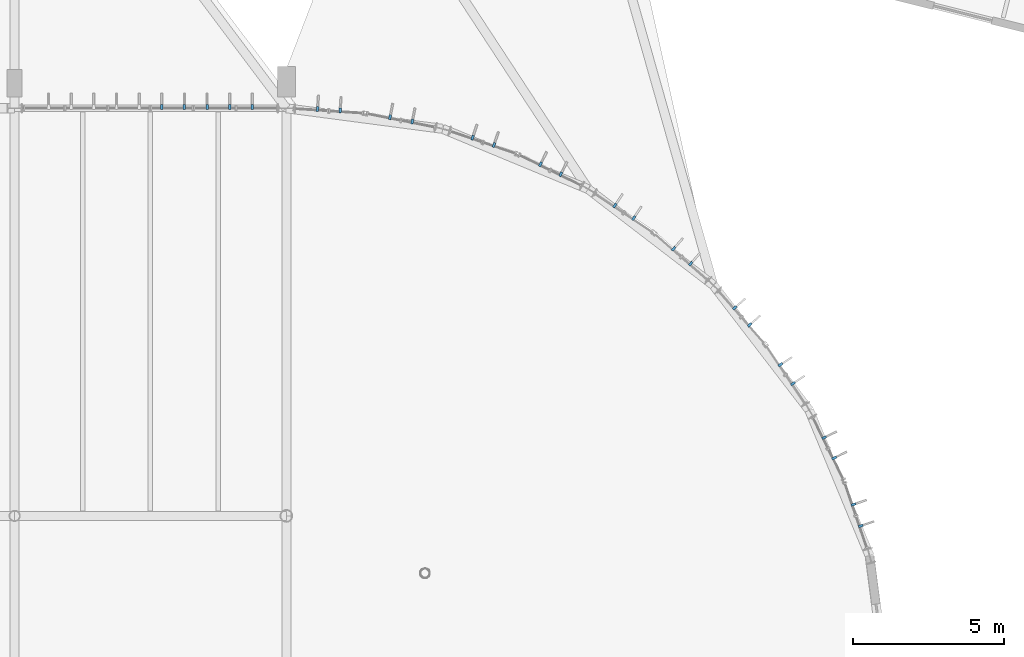
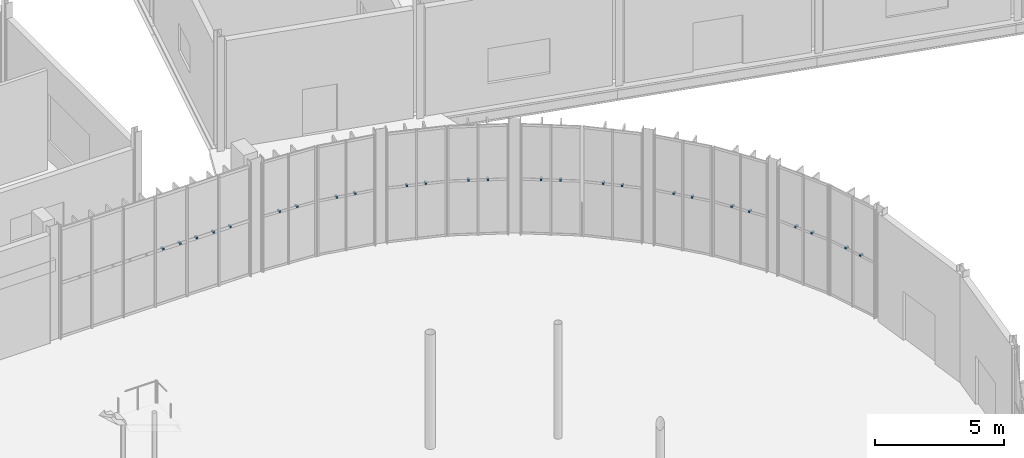
# One storey, part 139 of 158: 25 discrete accessories.
"""IFC4 building model written with IfcOpenShell, lengths in metres."""

from ifc_helpers import new_model, si_unit, derived_unit, direction, frame, origin, origin_2d, place, context, subcontext, project, spatial, rectangle, extrude, material, type_object, element, save


model = new_model("IFC4")

# Units and contexts
model_context = context("Model", 3, precision=1e-05, world=origin(), true_north=direction((0.0, 1.0)))
body_context = subcontext(model_context, "Body", "Model", "MODEL_VIEW")
ifc_project = project(units=[si_unit("LENGTHUNIT", "METRE"), si_unit("AREAUNIT", "SQUARE_METRE"), si_unit("VOLUMEUNIT", "CUBIC_METRE"), si_unit("PLANEANGLEUNIT", "RADIAN"), si_unit("MASSUNIT", "GRAM", prefix="KILO"), si_unit("THERMODYNAMICTEMPERATUREUNIT", "KELVIN"), si_unit("TIMEUNIT", "SECOND"), derived_unit("THERMALTRANSMITTANCEUNIT", [(si_unit("MASSUNIT", "GRAM", prefix="KILO"), 1), (si_unit("THERMODYNAMICTEMPERATUREUNIT", "KELVIN"), -1), (si_unit("TIMEUNIT", "SECOND"), -3)])], contexts=[model_context])

# Site, building, storey
site_placement = place(None, origin())
site = spatial("IfcSite", under=ifc_project, at=site_placement, CompositionType="ELEMENT")
building_placement = place(site_placement, origin())
building = spatial("IfcBuilding", under=site, at=building_placement, Name="Cambertide Market Hall", CompositionType="ELEMENT")
storey_placement = place(building_placement, origin())
storey = spatial("IfcBuildingStorey", under=building, at=storey_placement, Name="L01", CompositionType="ELEMENT", Elevation=0.0)

# Discrete accessories
ifc_material = material(Name="Stainless Steel Grade 316", Category="metal")
discrete_accessory_type = type_object("IfcDiscreteAccessoryType", Name="Stainless Fin Outrigger Tie Bracket", PredefinedType="BRACKET", material=ifc_material)
for number, where, z_axis, x_axis, name in (
    (1, (100.875, 92.0400390625, 2.5400390625), (0.0, 0.0, 1.0), (1.0, 0.0, 0.0), "CW-V1N-L01-7 Fin Tie Bracket 6"),
    (2, (101.625, 92.0400390625, 2.5400390625), (0.0, 0.0, 1.0), (1.0, 0.0, 0.0), "CW-V1N-L01-7 Fin Tie Bracket 7"),
    (3, (102.375, 92.0400390625, 2.5400390625), (0.0, 0.0, 1.0), (1.0, 0.0, 0.0), "CW-V1N-L01-7 Fin Tie Bracket 8"),
    (4, (103.125, 92.0400390625, 2.5400390625), (0.0, 0.0, 1.0), (1.0, 0.0, 0.0), "CW-V1N-L01-7 Fin Tie Bracket 9"),
    (5, (103.875, 92.0400390625, 2.5400390625), (0.0, 0.0, 1.0), (1.0, 0.0, 0.0), "CW-V1N-L01-7 Fin Tie Bracket 10"),
    (6, (123.783203125, 78.877685546875, 2.5400390625), (0.0, 0.0, 1.0), (0.32143947831, -0.94693012508, 0.0), "CW-V1AE-L01-15 Fin Tie Bracket 1"),
    (7, (124.0244140625, 78.16748046875, 2.5400390625), (0.0, 0.0, 1.0), (0.32143947831, -0.94693012508, 0.0), "CW-V1AE-L01-15 Fin Tie Bracket 2"),
    (8, (122.813232421875, 81.091064453125, 2.5400390625), (0.0, 0.0, 1.0), (0.442288874522, -0.896872650645, 0.0), "CW-V1AE-L01-16 Fin Tie Bracket 1"),
    (9, (123.14501953125, 80.41845703125, 2.5400390625), (0.0, 0.0, 1.0), (0.442288874522, -0.896872650645, 0.0), "CW-V1AE-L01-16 Fin Tie Bracket 2"),
    (10, (121.363037109375, 83.5048828125, 2.5400390625), (0.0, 0.0, 1.0), (0.555570087582, -0.831469709481, 0.0), "CW-V1AE-L01-17 Fin Tie Bracket 1"),
    (11, (121.77978515625, 82.881103515625, 2.5400390625), (0.0, 0.0, 1.0), (0.555570087582, -0.831469709481, 0.0), "CW-V1AE-L01-17 Fin Tie Bracket 2"),
    (12, (119.853271484375, 85.391845703125, 2.5400390625), (0.0, 0.0, 1.0), (0.659345784014, -0.751839834741, 0.0), "CW-V1AE-L01-18 Fin Tie Bracket 1"),
    (13, (120.347900390625, 84.827880859375, 2.5400390625), (0.0, 0.0, 1.0), (0.659345784014, -0.751839834741, 0.0), "CW-V1AE-L01-18 Fin Tie Bracket 2"),
    (14, (117.827880859375, 87.347900390625, 2.5400390625), (0.0, 0.0, 1.0), (0.751839834741, -0.659345784014, 0.0), "CW-V1AE-L01-19 Fin Tie Bracket 1"),
    (15, (118.391845703125, 86.853271484375, 2.5400390625), (0.0, 0.0, 1.0), (0.751839834741, -0.659345784014, 0.0), "CW-V1AE-L01-19 Fin Tie Bracket 2"),
    (16, (115.881103515625, 88.77978515625, 2.5400390625), (0.0, 0.0, 1.0), (0.831469709481, -0.555570087582, 0.0), "CW-V1AE-L01-20 Fin Tie Bracket 1"),
    (17, (116.5048828125, 88.363037109375, 2.5400390625), (0.0, 0.0, 1.0), (0.831469709481, -0.555570087582, 0.0), "CW-V1AE-L01-20 Fin Tie Bracket 2"),
    (18, (113.41845703125, 90.14501953125, 2.5400390625), (0.0, 0.0, 1.0), (0.896872650645, -0.442288874522, 0.0), "CW-V1AE-L01-21 Fin Tie Bracket 1"),
    (19, (114.091064453125, 89.813232421875, 2.5400390625), (0.0, 0.0, 1.0), (0.896872650645, -0.442288874522, 0.0), "CW-V1AE-L01-21 Fin Tie Bracket 2"),
    (20, (111.16748046875, 91.0244140625, 2.5400390625), (0.0, 0.0, 1.0), (0.94693012508, -0.32143947831, 0.0), "CW-V1AE-L01-22 Fin Tie Bracket 1"),
    (21, (111.877685546875, 90.783203125, 2.5400390625), (0.0, 0.0, 1.0), (0.94693012508, -0.32143947831, 0.0), "CW-V1AE-L01-22 Fin Tie Bracket 2"),
    (22, (108.435302734375, 91.70556640625, 2.5400390625), (0.0, 0.0, 1.0), (0.980785330885, -0.195090068226, 0.0), "CW-V1AE-L01-23 Fin Tie Bracket 1"),
    (23, (109.1708984375, 91.559326171875, 2.5400390625), (0.0, 0.0, 1.0), (0.980785330885, -0.195090068226, 0.0), "CW-V1AE-L01-23 Fin Tie Bracket 2"),
    (24, (106.033447265625, 91.972412109375, 2.5400390625), (0.0, 0.0, 1.0), (0.997858917819, -0.065403211921, 0.0), "CW-V1AE-L01-24 Fin Tie Bracket 1"),
    (25, (106.781982421875, 91.92333984375, 2.5400390625), (0.0, 0.0, 1.0), (0.997858917819, -0.065403211921, 0.0), "CW-V1AE-L01-24 Fin Tie Bracket 2"),
):
    element("IfcDiscreteAccessory", number, at=place(storey_placement, frame(where, z_axis=z_axis, x_axis=x_axis)), inside=storey, type_object=discrete_accessory_type, Name=name, PredefinedType="BRACKET", context=body_context, shape_type="SweptSolid", body=[
        extrude(rectangle(XDim=0.080078125, YDim=0.159912109375, at=origin_2d()), origin(), (0.0, 0.0, 1.0), 0.080078125),
    ])

save(model, "model.ifc")
